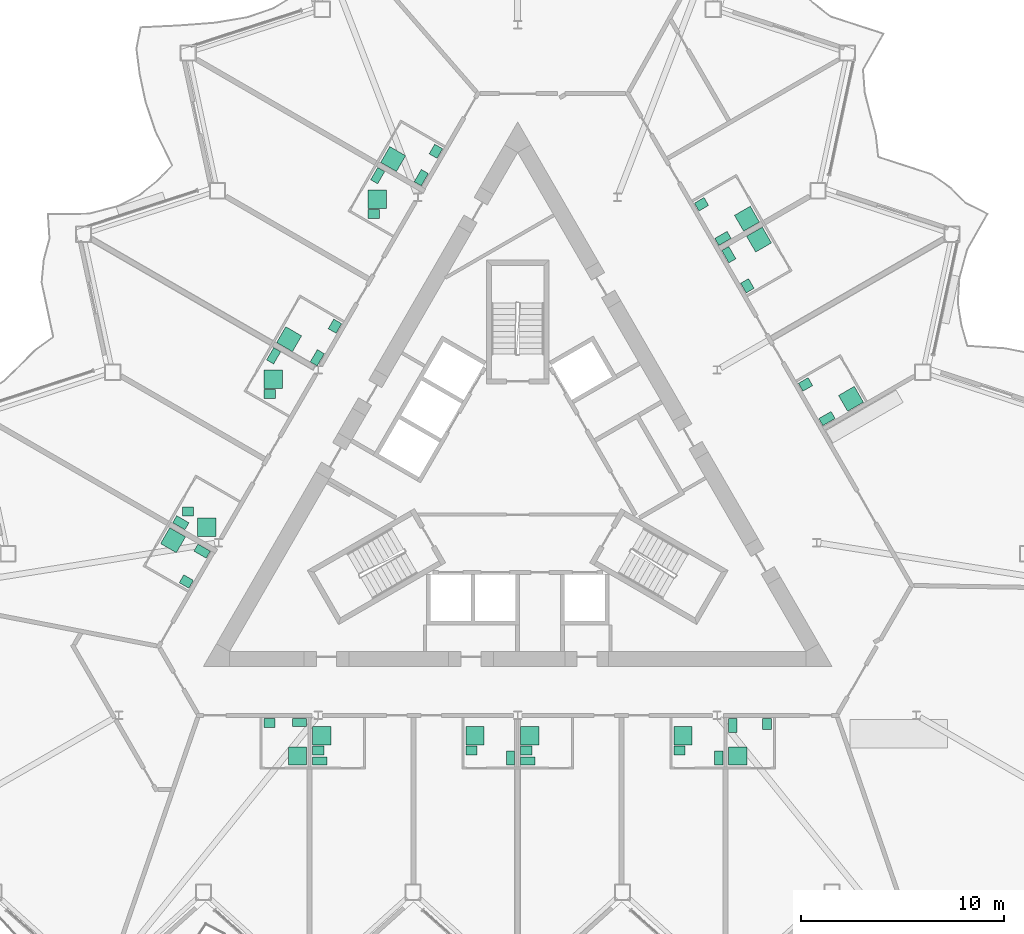
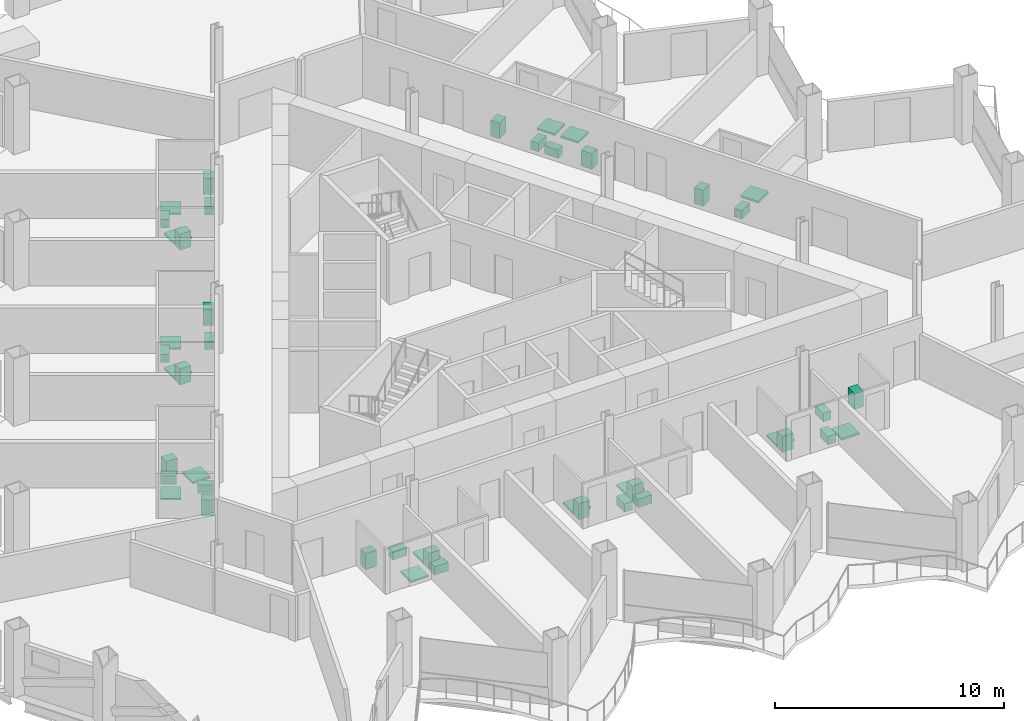
# One storey, part 22 of 23: 45 sanitary terminals.
"""IFC4 building model written with IfcOpenShell, lengths in metres."""

from ifc_helpers import new_model, si_unit, direction, frame, origin, origin_2d, place, context, subcontext, project, spatial, rectangle, extrude, material, type_object, element, save


model = new_model("IFC4")

# Units and contexts
model_context = context("Model", 3, precision=1e-05, world=origin(), true_north=direction((0.0, 1.0)))
body_context = subcontext(model_context, "Body", "Model", "MODEL_VIEW")
ifc_project = project(units=[si_unit("LENGTHUNIT", "METRE"), si_unit("AREAUNIT", "SQUARE_METRE"), si_unit("VOLUMEUNIT", "CUBIC_METRE"), si_unit("PLANEANGLEUNIT", "RADIAN"), si_unit("MASSUNIT", "GRAM", prefix="KILO")], contexts=[model_context])

# Site, building, storey
site_placement = place(None, origin())
site = spatial("IfcSite", under=ifc_project, at=site_placement, CompositionType="ELEMENT")
building_placement = place(site_placement, origin())
building = spatial("IfcBuilding", under=site, at=building_placement, Name="Cormorant Prow Tower", CompositionType="ELEMENT")
storey_placement = place(building_placement, frame((0.0, 0.0, 187.199951171875)))
storey = spatial("IfcBuildingStorey", under=building, at=storey_placement, Name="L40", CompositionType="ELEMENT", Elevation=187.199951171875)

# Sanitary terminals
ifc_material_1 = material(Name="Vitreous china")
sanitary_terminal_type_1 = type_object("IfcSanitaryTerminalType", Name="Shower tray 900x900", PredefinedType="SHOWER", material=ifc_material_1)
for number, where, z_axis, x_axis, name in (
    (1, (-10.84912109375, -13.35400390625, 0.0), (0.0, 0.0, 1.0), (-1.0, 0.0, 0.0), "Shower tray"),
    (2, (-9.6591796875, -12.35400390625, 0.0), (0.0, 0.0, 1.0), (1.0, 0.0, 0.0), "Shower tray"),
    (3, (-2.10498046875, -12.35400390625, 0.0), (0.0, 0.0, 1.0), (1.0, 0.0, 0.0), "Shower tray"),
    (4, (0.594970703125, -12.35400390625, 0.0), (0.0, 0.0, 1.0), (1.0, 0.0, 0.0), "Shower tray"),
    (5, (8.149169921875, -12.35400390625, 0.0), (0.0, 0.0, 1.0), (1.0, 0.0, 0.0), "Shower tray"),
    (6, (10.84912109375, -13.35400390625, 0.0), (0.0, 0.0, 1.0), (0.0, 1.0, 0.0), "Shower tray"),
    (7, (16.428955078125, 4.251953125, 0.0), (0.0, 0.0, 1.0), (-0.866025403784, -0.5, 0.0), "Shower tray"),
    (8, (11.89697265625, 12.101806640625, 0.0), (0.0, 0.0, 1.0), (0.5, -0.866025403784, 0.0), "Shower tray"),
    (9, (11.302001953125, 13.132568359375, 0.0), (0.0, 0.0, 1.0), (-0.866025403784, -0.5, 0.0), "Shower tray"),
    (10, (-6.14013671875, 16.07275390625, 0.0), (0.0, 0.0, 1.0), (0.5, 0.866025403784, 0.0), "Shower tray"),
    (11, (-6.923095703125, 14.096435546875, 0.0), (0.0, 0.0, 1.0), (1.0, 0.0, 0.0), "Shower tray"),
    (12, (-11.267333984375, 7.1923828125, 0.0), (0.0, 0.0, 1.0), (0.5, 0.866025403784, 0.0), "Shower tray"),
    (13, (-12.05029296875, 5.216064453125, 0.0), (0.0, 0.0, 1.0), (1.0, 0.0, 0.0), "Shower tray"),
    (14, (-15.327392578125, -2.076171875, 0.0), (0.0, 0.0, 1.0), (1.0, 0.0, 0.0), "Shower tray"),
    (15, (-16.989501953125, -2.71875, 0.0), (0.0, 0.0, 1.0), (0.866025403784, -0.5, 0.0), "Shower tray"),
):
    element("IfcSanitaryTerminal", number, at=place(storey_placement, frame(where, z_axis=z_axis, x_axis=x_axis)), inside=storey, type_object=sanitary_terminal_type_1, Name=name, PredefinedType="SHOWER", context=body_context, shape_type="SweptSolid", body=[
        extrude(rectangle(XDim=0.89990234375, YDim=0.89990234375, at=origin_2d()), origin(), (0.0, 0.0, 1.0), 0.10009765625),
    ])
ifc_material_2 = material(Name="Vitreous china")
sanitary_terminal_type_2 = type_object("IfcSanitaryTerminalType", Name="Wash basin 550x450", PredefinedType="WASHHANDBASIN", material=ifc_material_2)
for number, where, z_axis, x_axis, name in (
    (16, (-12.234130859375, -11.718994140625, 0.0), (0.0, 0.0, 1.0), (1.0, 0.0, 0.0), "Wash basin"),
    (17, (-9.834228515625, -13.078857421875, 0.0), (0.0, 0.0, 1.0), (1.0, 0.0, 0.0), "Wash basin"),
    (18, (-2.280029296875, -13.078857421875, 0.0), (0.0, 0.0, 1.0), (1.0, 0.0, 0.0), "Wash basin"),
    (19, (0.419921875, -13.078857421875, 0.0), (0.0, 0.0, 1.0), (1.0, 0.0, 0.0), "Wash basin"),
    (20, (7.97412109375, -13.078857421875, 0.0), (0.0, 0.0, 1.0), (1.0, 0.0, 0.0), "Wash basin"),
    (21, (12.2841796875, -11.768798828125, 0.0), (0.0, 0.0, 1.0), (0.0, -1.0, 0.0), "Wash basin"),
    (22, (14.188720703125, 4.962158203125, 0.0), (0.0, 0.0, 1.0), (0.866025403784, 0.5, 0.0), "Wash basin"),
    (23, (11.323486328125, 9.8251953125, 0.0), (0.0, 0.0, 1.0), (-0.5, 0.866025403784, 0.0), "Wash basin"),
    (24, (9.061767578125, 13.842529296875, 0.0), (0.0, 0.0, 1.0), (0.866025403784, 0.5, 0.0), "Wash basin"),
    (25, (-4.03173828125, 16.45458984375, 0.0), (0.0, 0.0, 1.0), (-0.5, -0.866025403784, 0.0), "Wash basin"),
    (26, (-7.09814453125, 13.371337890625, 0.0), (0.0, 0.0, 1.0), (1.0, 0.0, 0.0), "Wash basin"),
    (27, (-9.0087890625, 7.833984375, 0.0), (0.0, 0.0, 1.0), (-0.5, -0.866025403784, 0.0), "Wash basin"),
    (28, (-12.225341796875, 4.490966796875, 0.0), (0.0, 0.0, 1.0), (1.0, 0.0, 0.0), "Wash basin"),
    (29, (-16.25244140625, -1.30126953125, 0.0), (0.0, 0.0, 1.0), (1.0, 0.0, 0.0), "Wash basin"),
    (30, (-16.334228515625, -4.75390625, 0.0), (0.0, 0.0, 1.0), (-0.866025403784, 0.5, 0.0), "Wash basin"),
):
    element("IfcSanitaryTerminal", number, at=place(storey_placement, frame(where, z_axis=z_axis, x_axis=x_axis)), inside=storey, type_object=sanitary_terminal_type_2, Name=name, PredefinedType="WASHHANDBASIN", context=body_context, shape_type="SweptSolid", body=[
        extrude(rectangle(XDim=0.550048828125, YDim=0.449951171875, at=origin_2d()), origin(), (0.0, 0.0, 1.0), 0.85009765625),
    ])
ifc_material_3 = material(Name="Vitreous china")
sanitary_terminal_type_3 = type_object("IfcSanitaryTerminalType", Name="Water closet 400x700", PredefinedType="WCSEAT", material=ifc_material_3)
for number, where, z_axis, x_axis, name in (
    (31, (-10.749267578125, -11.69384765625, 0.0), (0.0, 0.0, 1.0), (0.0, -1.0, 0.0), "Water closet"),
    (32, (-9.75927734375, -13.60400390625, 0.0), (0.0, 0.0, 1.0), (0.0, 1.0, 0.0), "Water closet"),
    (33, (-0.344970703125, -13.453857421875, 0.0), (0.0, 0.0, 1.0), (-1.0, 0.0, 0.0), "Water closet"),
    (34, (0.4951171875, -13.60400390625, 0.0), (0.0, 0.0, 1.0), (0.0, 1.0, 0.0), "Water closet"),
    (35, (9.9091796875, -13.453857421875, 0.0), (0.0, 0.0, 1.0), (-1.0, 0.0, 0.0), "Water closet"),
    (36, (10.59912109375, -11.843994140625, 0.0), (0.0, 0.0, 1.0), (1.0, 0.0, 0.0), "Water closet"),
    (37, (15.246337890625, 3.280517578125, 0.0), (0.0, 0.0, 1.0), (-0.5, 0.866025403784, 0.0), "Water closet"),
    (38, (10.4091796875, 11.3583984375, 0.0), (0.0, 0.0, 1.0), (0.866025403784, 0.5, 0.0), "Water closet"),
    (39, (10.119140625, 12.160888671875, 0.0), (0.0, 0.0, 1.0), (-0.5, 0.866025403784, 0.0), "Water closet"),
    (40, (-4.752685546875, 15.156005859375, 0.0), (0.0, 0.0, 1.0), (-0.866025403784, 0.5, 0.0), "Water closet"),
    (41, (-6.901611328125, 15.253662109375, 0.0), (0.0, 0.0, 1.0), (0.866025403784, -0.5, 0.0), "Water closet"),
    (42, (-9.879638671875, 6.275634765625, 0.0), (0.0, 0.0, 1.0), (-0.866025403784, 0.5, 0.0), "Water closet"),
    (43, (-12.02880859375, 6.373291015625, 0.0), (0.0, 0.0, 1.0), (0.866025403784, -0.5, 0.0), "Water closet"),
    (44, (-16.606201171875, -1.854736328125, 0.0), (0.0, 0.0, 1.0), (0.5, 0.866025403784, 0.0), "Water closet"),
    (45, (-15.556884765625, -3.257080078125, 0.0), (0.0, 0.0, 1.0), (-0.5, -0.866025403784, 0.0), "Water closet"),
):
    element("IfcSanitaryTerminal", number, at=place(storey_placement, frame(where, z_axis=z_axis, x_axis=x_axis)), inside=storey, type_object=sanitary_terminal_type_3, Name=name, PredefinedType="WCSEAT", context=body_context, shape_type="SweptSolid", body=[
        extrude(rectangle(XDim=0.39990234375, YDim=0.699951171875, at=origin_2d()), origin(), (0.0, 0.0, 1.0), 0.449951171875),
    ])

save(model, "model.ifc")
